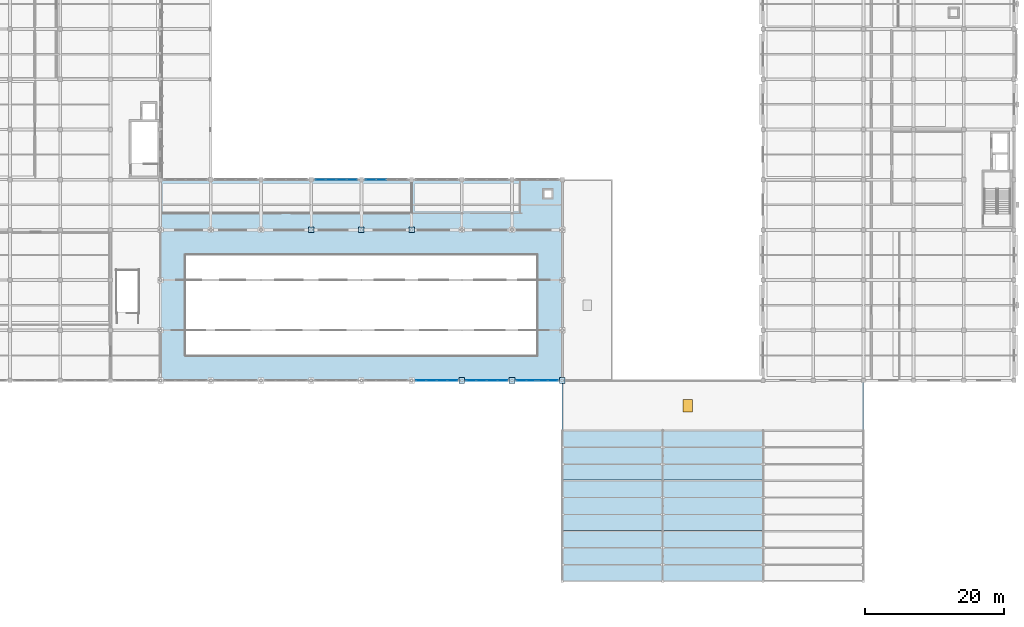
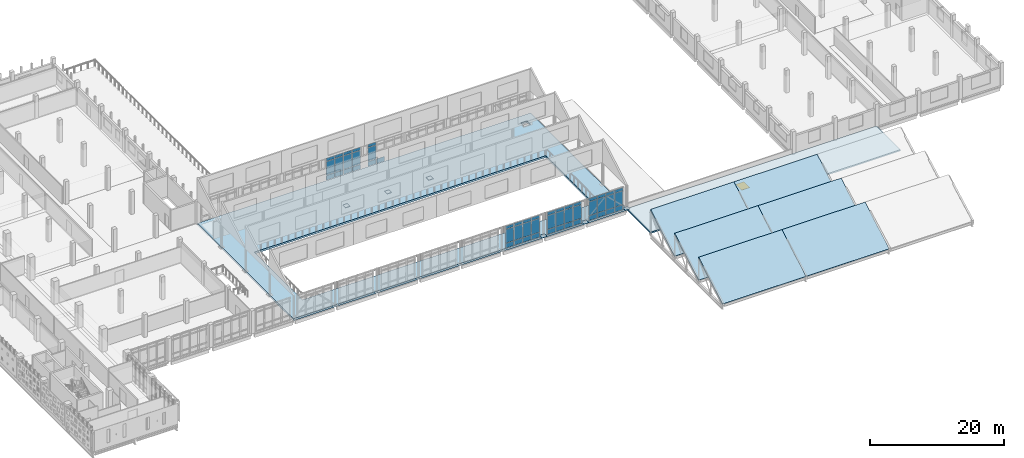
# One storey, part 32 of 62: 58 plates, 8 slabs, 1 window, 1 opening, 5 elements without a shape of their own.
"""IFC4 building model written with IfcOpenShell, lengths in metres."""

from ifc_helpers import new_model, si_unit, direction, frame, origin, origin_2d, place, context, subcontext, project, spatial, polyline, rectangle, outline, extrude, material, layer, layer_set, type_object, element, fill, aggregate, save


model = new_model("IFC4")

# Units and contexts
model_context = context("Model", 3, precision=1e-05, world=origin(), true_north=direction((0.0, 1.0)))
body_context = subcontext(model_context, "Body", "Model", "MODEL_VIEW")
ifc_project = project(units=[si_unit("LENGTHUNIT", "METRE"), si_unit("AREAUNIT", "SQUARE_METRE"), si_unit("VOLUMEUNIT", "CUBIC_METRE"), si_unit("PLANEANGLEUNIT", "RADIAN"), si_unit("MASSUNIT", "GRAM", prefix="KILO")], contexts=[model_context])

# Site, building, storey
site_placement = place(None, origin())
site = spatial("IfcSite", under=ifc_project, at=site_placement, CompositionType="ELEMENT")
building_placement = place(site_placement, origin())
building = spatial("IfcBuilding", under=site, at=building_placement, Name="Valkovuoma Quantum and Materials Research Institute", CompositionType="ELEMENT")
storey_placement = place(building_placement, frame((0.0, 0.0, 13.1201171875)))
storey = spatial("IfcBuildingStorey", under=building, at=storey_placement, Name="L03", CompositionType="ELEMENT", Elevation=13.1201171875)

# Curtain wall, plates
ifc_material_1 = material(Name="Thermally broken aluminium and triple low-E glazing", Category="aluminium")
ifc_layer_1 = layer(ifc_material_1, 0.219970703125)
ifc_layer_set_1 = layer_set([ifc_layer_1], Name="Thermally broken aluminium and triple low-E glazing")
curtain_wall_type = type_object("IfcCurtainWallType", Name="CW-CW-02", PredefinedType="NOTDEFINED", material=ifc_layer_set_1)
curtain_wall_1_placement = place(storey_placement, origin())
curtain_wall_1 = element("IfcCurtainWall", 1, at=curtain_wall_1_placement, inside=storey, type_object=curtain_wall_type, Name="L03 curtain wall 214", PredefinedType="NOTDEFINED")
ifc_material_2 = material(Name="Triple low-E argon insulating glass", Category="glass")
ifc_layer_2 = layer(ifc_material_2, 0.0419921875)
ifc_layer_set_2 = layer_set([ifc_layer_2], Name="Triple low-E argon insulating glass")
plate_type_1 = type_object("IfcPlateType", Name="CWPanel-CWP-02", PredefinedType="CURTAIN_PANEL", material=ifc_layer_set_2)
plate_1_placement = place(storey_placement, frame((66.155029296875, 64.800048828125, 0.074951171875), z_axis=(0.0, 0.0, 1.0), x_axis=(1.0, 0.0, 0.0)))
plate_1 = element("IfcPlate", 2, at=plate_1_placement, type_object=plate_type_1, Name="CW-02 panel 1.1", PredefinedType="CURTAIN_PANEL", context=body_context, shape_type="SweptSolid", body=[
    extrude(rectangle(XDim=1.389892578125, YDim=0.0419921875, at=origin_2d()), origin(), (0.0, 0.0, 1.0), 0.83740234375),
])
plate_2_placement = place(storey_placement, frame((66.155029296875, 64.800048828125, 0.9873046875), z_axis=(0.0, 0.0, 1.0), x_axis=(1.0, 0.0, 0.0)))
plate_2 = element("IfcPlate", 3, at=plate_2_placement, type_object=plate_type_1, Name="CW-02 panel 1.2", PredefinedType="CURTAIN_PANEL", context=body_context, shape_type="SweptSolid", body=[
    extrude(rectangle(XDim=1.389892578125, YDim=0.0419921875, at=origin_2d()), origin(), (0.0, 0.0, 1.0), 2.485107421875),
])
plate_3_placement = place(storey_placement, frame((66.155029296875, 64.800048828125, 3.54736328125), z_axis=(0.0, 0.0, 1.0), x_axis=(1.0, 0.0, 0.0)))
plate_3 = element("IfcPlate", 4, at=plate_3_placement, type_object=plate_type_1, Name="CW-02 panel 1.3", PredefinedType="CURTAIN_PANEL", context=body_context, shape_type="SweptSolid", body=[
    extrude(rectangle(XDim=1.389892578125, YDim=0.0419921875, at=origin_2d()), origin(), (0.0, 0.0, 1.0), 0.53759765625),
])
plate_4_placement = place(storey_placement, frame((67.64501953125, 64.800048828125, 0.074951171875), z_axis=(0.0, 0.0, 1.0), x_axis=(1.0, 0.0, 0.0)))
plate_4 = element("IfcPlate", 5, at=plate_4_placement, type_object=plate_type_1, Name="CW-02 panel 2.1", PredefinedType="CURTAIN_PANEL", context=body_context, shape_type="SweptSolid", body=[
    extrude(rectangle(XDim=1.429931640625, YDim=0.0419921875, at=origin_2d()), origin(), (0.0, 0.0, 1.0), 0.83740234375),
])
plate_5_placement = place(storey_placement, frame((67.64501953125, 64.800048828125, 0.9873046875), z_axis=(0.0, 0.0, 1.0), x_axis=(1.0, 0.0, 0.0)))
plate_5 = element("IfcPlate", 6, at=plate_5_placement, type_object=plate_type_1, Name="CW-02 panel 2.2", PredefinedType="CURTAIN_PANEL", context=body_context, shape_type="SweptSolid", body=[
    extrude(rectangle(XDim=1.429931640625, YDim=0.0419921875, at=origin_2d()), origin(), (0.0, 0.0, 1.0), 2.485107421875),
])
plate_6_placement = place(storey_placement, frame((67.64501953125, 64.800048828125, 3.54736328125), z_axis=(0.0, 0.0, 1.0), x_axis=(1.0, 0.0, 0.0)))
plate_6 = element("IfcPlate", 7, at=plate_6_placement, type_object=plate_type_1, Name="CW-02 panel 2.3", PredefinedType="CURTAIN_PANEL", context=body_context, shape_type="SweptSolid", body=[
    extrude(rectangle(XDim=1.429931640625, YDim=0.0419921875, at=origin_2d()), origin(), (0.0, 0.0, 1.0), 0.53759765625),
])
plate_7_placement = place(storey_placement, frame((69.155029296875, 64.800048828125, 0.074951171875), z_axis=(0.0, 0.0, 1.0), x_axis=(1.0, 0.0, 0.0)))
plate_7 = element("IfcPlate", 8, at=plate_7_placement, type_object=plate_type_1, Name="CW-02 panel 3.1", PredefinedType="CURTAIN_PANEL", context=body_context, shape_type="SweptSolid", body=[
    extrude(rectangle(XDim=1.429931640625, YDim=0.0419921875, at=origin_2d()), origin(), (0.0, 0.0, 1.0), 0.83740234375),
])
plate_8_placement = place(storey_placement, frame((69.155029296875, 64.800048828125, 0.9873046875), z_axis=(0.0, 0.0, 1.0), x_axis=(1.0, 0.0, 0.0)))
plate_8 = element("IfcPlate", 9, at=plate_8_placement, type_object=plate_type_1, Name="CW-02 panel 3.2", PredefinedType="CURTAIN_PANEL", context=body_context, shape_type="SweptSolid", body=[
    extrude(rectangle(XDim=1.429931640625, YDim=0.0419921875, at=origin_2d()), origin(), (0.0, 0.0, 1.0), 2.485107421875),
])
plate_9_placement = place(storey_placement, frame((69.155029296875, 64.800048828125, 3.54736328125), z_axis=(0.0, 0.0, 1.0), x_axis=(1.0, 0.0, 0.0)))
plate_9 = element("IfcPlate", 10, at=plate_9_placement, type_object=plate_type_1, Name="CW-02 panel 3.3", PredefinedType="CURTAIN_PANEL", context=body_context, shape_type="SweptSolid", body=[
    extrude(rectangle(XDim=1.429931640625, YDim=0.0419921875, at=origin_2d()), origin(), (0.0, 0.0, 1.0), 0.53759765625),
])
plate_10_placement = place(storey_placement, frame((70.64501953125, 64.800048828125, 0.074951171875), z_axis=(0.0, 0.0, 1.0), x_axis=(1.0, 0.0, 0.0)))
plate_10 = element("IfcPlate", 11, at=plate_10_placement, type_object=plate_type_1, Name="CW-02 panel 4.1", PredefinedType="CURTAIN_PANEL", context=body_context, shape_type="SweptSolid", body=[
    extrude(rectangle(XDim=1.389892578125, YDim=0.0419921875, at=origin_2d()), origin(), (0.0, 0.0, 1.0), 0.83740234375),
])
plate_11_placement = place(storey_placement, frame((70.64501953125, 64.800048828125, 0.9873046875), z_axis=(0.0, 0.0, 1.0), x_axis=(1.0, 0.0, 0.0)))
plate_11 = element("IfcPlate", 12, at=plate_11_placement, type_object=plate_type_1, Name="CW-02 panel 4.2", PredefinedType="CURTAIN_PANEL", context=body_context, shape_type="SweptSolid", body=[
    extrude(rectangle(XDim=1.389892578125, YDim=0.0419921875, at=origin_2d()), origin(), (0.0, 0.0, 1.0), 2.485107421875),
])
plate_12_placement = place(storey_placement, frame((70.64501953125, 64.800048828125, 3.54736328125), z_axis=(0.0, 0.0, 1.0), x_axis=(1.0, 0.0, 0.0)))
plate_12 = element("IfcPlate", 13, at=plate_12_placement, type_object=plate_type_1, Name="CW-02 panel 4.3", PredefinedType="CURTAIN_PANEL", context=body_context, shape_type="SweptSolid", body=[
    extrude(rectangle(XDim=1.389892578125, YDim=0.0419921875, at=origin_2d()), origin(), (0.0, 0.0, 1.0), 0.53759765625),
])
aggregate(curtain_wall_1, [plate_1, plate_2, plate_3, plate_4, plate_5, plate_6, plate_7, plate_8, plate_9, plate_10, plate_11, plate_12])

curtain_wall_2_placement = place(storey_placement, origin())
curtain_wall_2 = element("IfcCurtainWall", 14, at=curtain_wall_2_placement, inside=storey, type_object=curtain_wall_type, Name="L03 curtain wall 215", PredefinedType="NOTDEFINED")
plate_13_placement = place(storey_placement, frame((73.35498046875, 64.800048828125, 0.074951171875), z_axis=(0.0, 0.0, 1.0), x_axis=(1.0, 0.0, 0.0)))
plate_13 = element("IfcPlate", 15, at=plate_13_placement, type_object=plate_type_1, Name="CW-02 panel 1.1", PredefinedType="CURTAIN_PANEL", context=body_context, shape_type="SweptSolid", body=[
    extrude(rectangle(XDim=1.389892578125, YDim=0.0419921875, at=origin_2d()), origin(), (0.0, 0.0, 1.0), 0.83740234375),
])
plate_14_placement = place(storey_placement, frame((73.35498046875, 64.800048828125, 0.9873046875), z_axis=(0.0, 0.0, 1.0), x_axis=(1.0, 0.0, 0.0)))
plate_14 = element("IfcPlate", 16, at=plate_14_placement, type_object=plate_type_1, Name="CW-02 panel 1.2", PredefinedType="CURTAIN_PANEL", context=body_context, shape_type="SweptSolid", body=[
    extrude(rectangle(XDim=1.389892578125, YDim=0.0419921875, at=origin_2d()), origin(), (0.0, 0.0, 1.0), 2.485107421875),
])
plate_15_placement = place(storey_placement, frame((73.35498046875, 64.800048828125, 3.54736328125), z_axis=(0.0, 0.0, 1.0), x_axis=(1.0, 0.0, 0.0)))
plate_15 = element("IfcPlate", 17, at=plate_15_placement, type_object=plate_type_1, Name="CW-02 panel 1.3", PredefinedType="CURTAIN_PANEL", context=body_context, shape_type="SweptSolid", body=[
    extrude(rectangle(XDim=1.389892578125, YDim=0.0419921875, at=origin_2d()), origin(), (0.0, 0.0, 1.0), 0.53759765625),
])
plate_16_placement = place(storey_placement, frame((74.844970703125, 64.800048828125, 0.074951171875), z_axis=(0.0, 0.0, 1.0), x_axis=(1.0, 0.0, 0.0)))
plate_16 = element("IfcPlate", 18, at=plate_16_placement, type_object=plate_type_1, Name="CW-02 panel 2.1", PredefinedType="CURTAIN_PANEL", context=body_context, shape_type="SweptSolid", body=[
    extrude(rectangle(XDim=1.429931640625, YDim=0.0419921875, at=origin_2d()), origin(), (0.0, 0.0, 1.0), 0.83740234375),
])
aggregate(curtain_wall_2, [plate_13, plate_14, plate_15, plate_16])

curtain_wall_3_placement = place(storey_placement, origin())
curtain_wall_3 = element("IfcCurtainWall", 19, at=curtain_wall_3_placement, inside=storey, type_object=curtain_wall_type, Name="L03 curtain wall 208", PredefinedType="NOTDEFINED")
ifc_material_3 = material(Name="Triple low-E argon insulating glass", Category="glass")
ifc_layer_3 = layer(ifc_material_3, 0.048095703125)
ifc_layer_set_3 = layer_set([ifc_layer_3], Name="Triple low-E argon insulating glass")
plate_type_2 = type_object("IfcPlateType", Name="CWPanel-CWP-03", PredefinedType="CURTAIN_PANEL", material=ifc_layer_set_3)
plate_17_placement = place(storey_placement, frame((80.554931640625, 36.0, 0.074951171875), z_axis=(0.0, 0.0, 1.0), x_axis=(1.0, 0.0, 0.0)))
plate_17 = element("IfcPlate", 20, at=plate_17_placement, type_object=plate_type_2, Name="CW-02 panel 1.1", PredefinedType="CURTAIN_PANEL", context=body_context, shape_type="SweptSolid", body=[
    extrude(rectangle(XDim=1.389892578125, YDim=0.048095703125, at=origin_2d()), origin(), (0.0, 0.0, 1.0), 0.83740234375),
])
plate_18_placement = place(storey_placement, frame((80.554931640625, 36.0, 0.9873046875), z_axis=(0.0, 0.0, 1.0), x_axis=(1.0, 0.0, 0.0)))
plate_18 = element("IfcPlate", 21, at=plate_18_placement, type_object=plate_type_2, Name="CW-02 panel 1.2", PredefinedType="CURTAIN_PANEL", context=body_context, shape_type="SweptSolid", body=[
    extrude(rectangle(XDim=1.389892578125, YDim=0.048095703125, at=origin_2d()), origin(), (0.0, 0.0, 1.0), 2.485107421875),
])
plate_19_placement = place(storey_placement, frame((80.554931640625, 36.0, 3.54736328125), z_axis=(0.0, 0.0, 1.0), x_axis=(1.0, 0.0, 0.0)))
plate_19 = element("IfcPlate", 22, at=plate_19_placement, type_object=plate_type_2, Name="CW-02 panel 1.3", PredefinedType="CURTAIN_PANEL", context=body_context, shape_type="SweptSolid", body=[
    extrude(rectangle(XDim=1.389892578125, YDim=0.048095703125, at=origin_2d()), origin(), (0.0, 0.0, 1.0), 0.53759765625),
])
plate_20_placement = place(storey_placement, frame((82.044921875, 36.0, 0.074951171875), z_axis=(0.0, 0.0, 1.0), x_axis=(1.0, 0.0, 0.0)))
plate_20 = element("IfcPlate", 23, at=plate_20_placement, type_object=plate_type_2, Name="CW-02 panel 2.1", PredefinedType="CURTAIN_PANEL", context=body_context, shape_type="SweptSolid", body=[
    extrude(rectangle(XDim=1.429931640625, YDim=0.048095703125, at=origin_2d()), origin(), (0.0, 0.0, 1.0), 0.83740234375),
])
plate_21_placement = place(storey_placement, frame((82.044921875, 36.0, 0.9873046875), z_axis=(0.0, 0.0, 1.0), x_axis=(1.0, 0.0, 0.0)))
plate_21 = element("IfcPlate", 24, at=plate_21_placement, type_object=plate_type_2, Name="CW-02 panel 2.2", PredefinedType="CURTAIN_PANEL", context=body_context, shape_type="SweptSolid", body=[
    extrude(rectangle(XDim=1.429931640625, YDim=0.048095703125, at=origin_2d()), origin(), (0.0, 0.0, 1.0), 2.485107421875),
])
plate_22_placement = place(storey_placement, frame((82.044921875, 36.0, 3.54736328125), z_axis=(0.0, 0.0, 1.0), x_axis=(1.0, 0.0, 0.0)))
plate_22 = element("IfcPlate", 25, at=plate_22_placement, type_object=plate_type_2, Name="CW-02 panel 2.3", PredefinedType="CURTAIN_PANEL", context=body_context, shape_type="SweptSolid", body=[
    extrude(rectangle(XDim=1.429931640625, YDim=0.048095703125, at=origin_2d()), origin(), (0.0, 0.0, 1.0), 0.53759765625),
])
plate_23_placement = place(storey_placement, frame((83.554931640625, 36.0, 0.074951171875), z_axis=(0.0, 0.0, 1.0), x_axis=(1.0, 0.0, 0.0)))
plate_23 = element("IfcPlate", 26, at=plate_23_placement, type_object=plate_type_2, Name="CW-02 panel 3.1", PredefinedType="CURTAIN_PANEL", context=body_context, shape_type="SweptSolid", body=[
    extrude(rectangle(XDim=1.429931640625, YDim=0.048095703125, at=origin_2d()), origin(), (0.0, 0.0, 1.0), 0.83740234375),
])
plate_24_placement = place(storey_placement, frame((83.554931640625, 36.0, 0.9873046875), z_axis=(0.0, 0.0, 1.0), x_axis=(1.0, 0.0, 0.0)))
plate_24 = element("IfcPlate", 27, at=plate_24_placement, type_object=plate_type_2, Name="CW-02 panel 3.2", PredefinedType="CURTAIN_PANEL", context=body_context, shape_type="SweptSolid", body=[
    extrude(rectangle(XDim=1.429931640625, YDim=0.048095703125, at=origin_2d()), origin(), (0.0, 0.0, 1.0), 2.485107421875),
])
plate_25_placement = place(storey_placement, frame((83.554931640625, 36.0, 3.54736328125), z_axis=(0.0, 0.0, 1.0), x_axis=(1.0, 0.0, 0.0)))
plate_25 = element("IfcPlate", 28, at=plate_25_placement, type_object=plate_type_2, Name="CW-02 panel 3.3", PredefinedType="CURTAIN_PANEL", context=body_context, shape_type="SweptSolid", body=[
    extrude(rectangle(XDim=1.429931640625, YDim=0.048095703125, at=origin_2d()), origin(), (0.0, 0.0, 1.0), 0.53759765625),
])
plate_26_placement = place(storey_placement, frame((85.044921875, 36.0, 0.074951171875), z_axis=(0.0, 0.0, 1.0), x_axis=(1.0, 0.0, 0.0)))
plate_26 = element("IfcPlate", 29, at=plate_26_placement, type_object=plate_type_2, Name="CW-02 panel 4.1", PredefinedType="CURTAIN_PANEL", context=body_context, shape_type="SweptSolid", body=[
    extrude(rectangle(XDim=1.389892578125, YDim=0.048095703125, at=origin_2d()), origin(), (0.0, 0.0, 1.0), 0.83740234375),
])
plate_27_placement = place(storey_placement, frame((85.044921875, 36.0, 0.9873046875), z_axis=(0.0, 0.0, 1.0), x_axis=(1.0, 0.0, 0.0)))
plate_27 = element("IfcPlate", 30, at=plate_27_placement, type_object=plate_type_2, Name="CW-02 panel 4.2", PredefinedType="CURTAIN_PANEL", context=body_context, shape_type="SweptSolid", body=[
    extrude(rectangle(XDim=1.389892578125, YDim=0.048095703125, at=origin_2d()), origin(), (0.0, 0.0, 1.0), 2.485107421875),
])
plate_28_placement = place(storey_placement, frame((85.044921875, 36.0, 3.54736328125), z_axis=(0.0, 0.0, 1.0), x_axis=(1.0, 0.0, 0.0)))
plate_28 = element("IfcPlate", 31, at=plate_28_placement, type_object=plate_type_2, Name="CW-02 panel 4.3", PredefinedType="CURTAIN_PANEL", context=body_context, shape_type="SweptSolid", body=[
    extrude(rectangle(XDim=1.389892578125, YDim=0.048095703125, at=origin_2d()), origin(), (0.0, 0.0, 1.0), 0.53759765625),
])
aggregate(curtain_wall_3, [plate_17, plate_18, plate_19, plate_20, plate_21, plate_22, plate_23, plate_24, plate_25, plate_26, plate_27, plate_28])

curtain_wall_4_placement = place(storey_placement, origin())
curtain_wall_4 = element("IfcCurtainWall", 32, at=curtain_wall_4_placement, inside=storey, type_object=curtain_wall_type, Name="L03 curtain wall 209", PredefinedType="NOTDEFINED")
plate_29_placement = place(storey_placement, frame((87.7548828125, 36.0, 0.074951171875), z_axis=(0.0, 0.0, 1.0), x_axis=(1.0, 0.0, 0.0)))
plate_29 = element("IfcPlate", 33, at=plate_29_placement, type_object=plate_type_2, Name="CW-02 panel 1.1", PredefinedType="CURTAIN_PANEL", context=body_context, shape_type="SweptSolid", body=[
    extrude(rectangle(XDim=1.389892578125, YDim=0.048095703125, at=origin_2d()), origin(), (0.0, 0.0, 1.0), 0.83740234375),
])
plate_30_placement = place(storey_placement, frame((87.7548828125, 36.0, 0.9873046875), z_axis=(0.0, 0.0, 1.0), x_axis=(1.0, 0.0, 0.0)))
plate_30 = element("IfcPlate", 34, at=plate_30_placement, type_object=plate_type_2, Name="CW-02 panel 1.2", PredefinedType="CURTAIN_PANEL", context=body_context, shape_type="SweptSolid", body=[
    extrude(rectangle(XDim=1.389892578125, YDim=0.048095703125, at=origin_2d()), origin(), (0.0, 0.0, 1.0), 2.485107421875),
])
plate_31_placement = place(storey_placement, frame((87.7548828125, 36.0, 3.54736328125), z_axis=(0.0, 0.0, 1.0), x_axis=(1.0, 0.0, 0.0)))
plate_31 = element("IfcPlate", 35, at=plate_31_placement, type_object=plate_type_2, Name="CW-02 panel 1.3", PredefinedType="CURTAIN_PANEL", context=body_context, shape_type="SweptSolid", body=[
    extrude(rectangle(XDim=1.389892578125, YDim=0.048095703125, at=origin_2d()), origin(), (0.0, 0.0, 1.0), 0.53759765625),
])
plate_32_placement = place(storey_placement, frame((89.2451171875, 36.0, 0.074951171875), z_axis=(0.0, 0.0, 1.0), x_axis=(1.0, 0.0, 0.0)))
plate_32 = element("IfcPlate", 36, at=plate_32_placement, type_object=plate_type_2, Name="CW-02 panel 2.1", PredefinedType="CURTAIN_PANEL", context=body_context, shape_type="SweptSolid", body=[
    extrude(rectangle(XDim=1.429931640625, YDim=0.048095703125, at=origin_2d()), origin(), (0.0, 0.0, 1.0), 0.83740234375),
])
plate_33_placement = place(storey_placement, frame((89.2451171875, 36.0, 0.9873046875), z_axis=(0.0, 0.0, 1.0), x_axis=(1.0, 0.0, 0.0)))
plate_33 = element("IfcPlate", 37, at=plate_33_placement, type_object=plate_type_2, Name="CW-02 panel 2.2", PredefinedType="CURTAIN_PANEL", context=body_context, shape_type="SweptSolid", body=[
    extrude(rectangle(XDim=1.429931640625, YDim=0.048095703125, at=origin_2d()), origin(), (0.0, 0.0, 1.0), 2.485107421875),
])
plate_34_placement = place(storey_placement, frame((89.2451171875, 36.0, 3.54736328125), z_axis=(0.0, 0.0, 1.0), x_axis=(1.0, 0.0, 0.0)))
plate_34 = element("IfcPlate", 38, at=plate_34_placement, type_object=plate_type_2, Name="CW-02 panel 2.3", PredefinedType="CURTAIN_PANEL", context=body_context, shape_type="SweptSolid", body=[
    extrude(rectangle(XDim=1.429931640625, YDim=0.048095703125, at=origin_2d()), origin(), (0.0, 0.0, 1.0), 0.53759765625),
])
plate_35_placement = place(storey_placement, frame((90.7548828125, 36.0, 0.074951171875), z_axis=(0.0, 0.0, 1.0), x_axis=(1.0, 0.0, 0.0)))
plate_35 = element("IfcPlate", 39, at=plate_35_placement, type_object=plate_type_2, Name="CW-02 panel 3.1", PredefinedType="CURTAIN_PANEL", context=body_context, shape_type="SweptSolid", body=[
    extrude(rectangle(XDim=1.429931640625, YDim=0.048095703125, at=origin_2d()), origin(), (0.0, 0.0, 1.0), 0.83740234375),
])
plate_36_placement = place(storey_placement, frame((90.7548828125, 36.0, 0.9873046875), z_axis=(0.0, 0.0, 1.0), x_axis=(1.0, 0.0, 0.0)))
plate_36 = element("IfcPlate", 40, at=plate_36_placement, type_object=plate_type_2, Name="CW-02 panel 3.2", PredefinedType="CURTAIN_PANEL", context=body_context, shape_type="SweptSolid", body=[
    extrude(rectangle(XDim=1.429931640625, YDim=0.048095703125, at=origin_2d()), origin(), (0.0, 0.0, 1.0), 2.485107421875),
])
plate_37_placement = place(storey_placement, frame((90.7548828125, 36.0, 3.54736328125), z_axis=(0.0, 0.0, 1.0), x_axis=(1.0, 0.0, 0.0)))
plate_37 = element("IfcPlate", 41, at=plate_37_placement, type_object=plate_type_2, Name="CW-02 panel 3.3", PredefinedType="CURTAIN_PANEL", context=body_context, shape_type="SweptSolid", body=[
    extrude(rectangle(XDim=1.429931640625, YDim=0.048095703125, at=origin_2d()), origin(), (0.0, 0.0, 1.0), 0.53759765625),
])
plate_38_placement = place(storey_placement, frame((92.2451171875, 36.0, 0.074951171875), z_axis=(0.0, 0.0, 1.0), x_axis=(1.0, 0.0, 0.0)))
plate_38 = element("IfcPlate", 42, at=plate_38_placement, type_object=plate_type_2, Name="CW-02 panel 4.1", PredefinedType="CURTAIN_PANEL", context=body_context, shape_type="SweptSolid", body=[
    extrude(rectangle(XDim=1.389892578125, YDim=0.048095703125, at=origin_2d()), origin(), (0.0, 0.0, 1.0), 0.83740234375),
])
plate_39_placement = place(storey_placement, frame((92.2451171875, 36.0, 0.9873046875), z_axis=(0.0, 0.0, 1.0), x_axis=(1.0, 0.0, 0.0)))
plate_39 = element("IfcPlate", 43, at=plate_39_placement, type_object=plate_type_2, Name="CW-02 panel 4.2", PredefinedType="CURTAIN_PANEL", context=body_context, shape_type="SweptSolid", body=[
    extrude(rectangle(XDim=1.389892578125, YDim=0.048095703125, at=origin_2d()), origin(), (0.0, 0.0, 1.0), 2.485107421875),
])
plate_40_placement = place(storey_placement, frame((92.2451171875, 36.0, 3.54736328125), z_axis=(0.0, 0.0, 1.0), x_axis=(1.0, 0.0, 0.0)))
plate_40 = element("IfcPlate", 44, at=plate_40_placement, type_object=plate_type_2, Name="CW-02 panel 4.3", PredefinedType="CURTAIN_PANEL", context=body_context, shape_type="SweptSolid", body=[
    extrude(rectangle(XDim=1.389892578125, YDim=0.048095703125, at=origin_2d()), origin(), (0.0, 0.0, 1.0), 0.53759765625),
])
aggregate(curtain_wall_4, [plate_29, plate_30, plate_31, plate_32, plate_33, plate_34, plate_35, plate_36, plate_37, plate_38, plate_39, plate_40])

curtain_wall_5_placement = place(storey_placement, origin())
curtain_wall_5 = element("IfcCurtainWall", 45, at=curtain_wall_5_placement, inside=storey, type_object=curtain_wall_type, Name="L03 curtain wall 210", PredefinedType="NOTDEFINED")
plate_41_placement = place(storey_placement, frame((94.955078125, 36.0, 0.074951171875), z_axis=(0.0, 0.0, 1.0), x_axis=(1.0, 0.0, 0.0)))
plate_41 = element("IfcPlate", 46, at=plate_41_placement, type_object=plate_type_2, Name="CW-02 panel 1.1", PredefinedType="CURTAIN_PANEL", context=body_context, shape_type="SweptSolid", body=[
    extrude(rectangle(XDim=1.389892578125, YDim=0.048095703125, at=origin_2d()), origin(), (0.0, 0.0, 1.0), 0.83740234375),
])
plate_42_placement = place(storey_placement, frame((94.955078125, 36.0, 0.9873046875), z_axis=(0.0, 0.0, 1.0), x_axis=(1.0, 0.0, 0.0)))
plate_42 = element("IfcPlate", 47, at=plate_42_placement, type_object=plate_type_2, Name="CW-02 panel 1.2", PredefinedType="CURTAIN_PANEL", context=body_context, shape_type="SweptSolid", body=[
    extrude(rectangle(XDim=1.389892578125, YDim=0.048095703125, at=origin_2d()), origin(), (0.0, 0.0, 1.0), 2.485107421875),
])
plate_43_placement = place(storey_placement, frame((94.955078125, 36.0, 3.54736328125), z_axis=(0.0, 0.0, 1.0), x_axis=(1.0, 0.0, 0.0)))
plate_43 = element("IfcPlate", 48, at=plate_43_placement, type_object=plate_type_2, Name="CW-02 panel 1.3", PredefinedType="CURTAIN_PANEL", context=body_context, shape_type="SweptSolid", body=[
    extrude(rectangle(XDim=1.389892578125, YDim=0.048095703125, at=origin_2d()), origin(), (0.0, 0.0, 1.0), 0.53759765625),
])
plate_44_placement = place(storey_placement, frame((96.445068359375, 36.0, 0.074951171875), z_axis=(0.0, 0.0, 1.0), x_axis=(1.0, 0.0, 0.0)))
plate_44 = element("IfcPlate", 49, at=plate_44_placement, type_object=plate_type_2, Name="CW-02 panel 2.1", PredefinedType="CURTAIN_PANEL", context=body_context, shape_type="SweptSolid", body=[
    extrude(rectangle(XDim=1.429931640625, YDim=0.048095703125, at=origin_2d()), origin(), (0.0, 0.0, 1.0), 0.83740234375),
])
plate_45_placement = place(storey_placement, frame((96.445068359375, 36.0, 0.9873046875), z_axis=(0.0, 0.0, 1.0), x_axis=(1.0, 0.0, 0.0)))
plate_45 = element("IfcPlate", 50, at=plate_45_placement, type_object=plate_type_2, Name="CW-02 panel 2.2", PredefinedType="CURTAIN_PANEL", context=body_context, shape_type="SweptSolid", body=[
    extrude(rectangle(XDim=1.429931640625, YDim=0.048095703125, at=origin_2d()), origin(), (0.0, 0.0, 1.0), 2.485107421875),
])
plate_46_placement = place(storey_placement, frame((96.445068359375, 36.0, 3.54736328125), z_axis=(0.0, 0.0, 1.0), x_axis=(1.0, 0.0, 0.0)))
plate_46 = element("IfcPlate", 51, at=plate_46_placement, type_object=plate_type_2, Name="CW-02 panel 2.3", PredefinedType="CURTAIN_PANEL", context=body_context, shape_type="SweptSolid", body=[
    extrude(rectangle(XDim=1.429931640625, YDim=0.048095703125, at=origin_2d()), origin(), (0.0, 0.0, 1.0), 0.53759765625),
])
plate_47_placement = place(storey_placement, frame((97.955078125, 36.0, 0.074951171875), z_axis=(0.0, 0.0, 1.0), x_axis=(1.0, 0.0, 0.0)))
plate_47 = element("IfcPlate", 52, at=plate_47_placement, type_object=plate_type_2, Name="CW-02 panel 3.1", PredefinedType="CURTAIN_PANEL", context=body_context, shape_type="SweptSolid", body=[
    extrude(rectangle(XDim=1.429931640625, YDim=0.048095703125, at=origin_2d()), origin(), (0.0, 0.0, 1.0), 0.83740234375),
])
plate_48_placement = place(storey_placement, frame((97.955078125, 36.0, 0.9873046875), z_axis=(0.0, 0.0, 1.0), x_axis=(1.0, 0.0, 0.0)))
plate_48 = element("IfcPlate", 53, at=plate_48_placement, type_object=plate_type_2, Name="CW-02 panel 3.2", PredefinedType="CURTAIN_PANEL", context=body_context, shape_type="SweptSolid", body=[
    extrude(rectangle(XDim=1.429931640625, YDim=0.048095703125, at=origin_2d()), origin(), (0.0, 0.0, 1.0), 2.485107421875),
])
plate_49_placement = place(storey_placement, frame((97.955078125, 36.0, 3.54736328125), z_axis=(0.0, 0.0, 1.0), x_axis=(1.0, 0.0, 0.0)))
plate_49 = element("IfcPlate", 54, at=plate_49_placement, type_object=plate_type_2, Name="CW-02 panel 3.3", PredefinedType="CURTAIN_PANEL", context=body_context, shape_type="SweptSolid", body=[
    extrude(rectangle(XDim=1.429931640625, YDim=0.048095703125, at=origin_2d()), origin(), (0.0, 0.0, 1.0), 0.53759765625),
])
plate_50_placement = place(storey_placement, frame((99.445068359375, 36.0, 0.074951171875), z_axis=(0.0, 0.0, 1.0), x_axis=(1.0, 0.0, 0.0)))
plate_50 = element("IfcPlate", 55, at=plate_50_placement, type_object=plate_type_2, Name="CW-02 panel 4.1", PredefinedType="CURTAIN_PANEL", context=body_context, shape_type="SweptSolid", body=[
    extrude(rectangle(XDim=1.389892578125, YDim=0.048095703125, at=origin_2d()), origin(), (0.0, 0.0, 1.0), 0.83740234375),
])
plate_51_placement = place(storey_placement, frame((99.445068359375, 36.0, 0.9873046875), z_axis=(0.0, 0.0, 1.0), x_axis=(1.0, 0.0, 0.0)))
plate_51 = element("IfcPlate", 56, at=plate_51_placement, type_object=plate_type_2, Name="CW-02 panel 4.2", PredefinedType="CURTAIN_PANEL", context=body_context, shape_type="SweptSolid", body=[
    extrude(rectangle(XDim=1.389892578125, YDim=0.048095703125, at=origin_2d()), origin(), (0.0, 0.0, 1.0), 2.485107421875),
])
plate_52_placement = place(storey_placement, frame((99.445068359375, 36.0, 3.54736328125), z_axis=(0.0, 0.0, 1.0), x_axis=(1.0, 0.0, 0.0)))
plate_52 = element("IfcPlate", 57, at=plate_52_placement, type_object=plate_type_2, Name="CW-02 panel 4.3", PredefinedType="CURTAIN_PANEL", context=body_context, shape_type="SweptSolid", body=[
    extrude(rectangle(XDim=1.389892578125, YDim=0.048095703125, at=origin_2d()), origin(), (0.0, 0.0, 1.0), 0.53759765625),
])
aggregate(curtain_wall_5, [plate_41, plate_42, plate_43, plate_44, plate_45, plate_46, plate_47, plate_48, plate_49, plate_50, plate_51, plate_52])

# Plates
ifc_material_4 = material(Name="Steel S355J2", Category="steel")
plate_type_3 = type_object("IfcPlateType", Name="Plate-PL-BAS2", PredefinedType="USERDEFINED", material=ifc_material_4)
for number, where, z_axis, x_axis, name in (
    (58, (64.800048828125, 57.60009765625, 0.0), (0.0, 0.0, 1.0), (1.0, 0.0, 0.0), "L03 base plate 10J"),
    (59, (72.0, 57.60009765625, 0.0), (0.0, 0.0, 1.0), (1.0, 0.0, 0.0), "L03 base plate 11J"),
    (60, (79.199951171875, 57.60009765625, 0.0), (0.0, 0.0, 1.0), (1.0, 0.0, 0.0), "L03 base plate 12J"),
    (61, (86.39990234375, 36.0, 0.0), (0.0, 0.0, 1.0), (1.0, 0.0, 0.0), "L03 base plate 13F"),
    (62, (93.60009765625, 36.0, 0.0), (0.0, 0.0, 1.0), (1.0, 0.0, 0.0), "L03 base plate 14F"),
    (63, (100.800048828125, 36.0, 0.0), (0.0, 0.0, 1.0), (1.0, 0.0, 0.0), "L03 base plate 15F"),
):
    element("IfcPlate", number, at=place(storey_placement, frame(where, z_axis=z_axis, x_axis=x_axis)), inside=storey, type_object=plate_type_3, Name=name, ObjectType="BASE_PLATE", PredefinedType="USERDEFINED", context=body_context, shape_type="SweptSolid", body=[
        extrude(rectangle(XDim=0.800048828125, YDim=0.800048828125, at=origin_2d()), origin(), (0.0, 0.0, 1.0), 0.030029296875),
    ])

# Slabs
ifc_material_5 = material(Name="Concrete C40/50", Category="concrete")
ifc_layer_4 = layer(ifc_material_5, 0.35009765625)
ifc_layer_set_4 = layer_set([ifc_layer_4], Name="Concrete C40/50")
slab_type_1 = type_object("IfcSlabType", Name="Slab-SL-FL350", PredefinedType="FLOOR", material=ifc_layer_set_4)
slab_1_placement = place(storey_placement, frame((0.0, 0.0, -0.35009765625)))
element("IfcSlab", 64, at=slab_1_placement, inside=storey, type_object=slab_type_1, Name="L03 vol2_atrium structural slab 2", PredefinedType="FLOOR", context=body_context, shape_type="SweptSolid", body=[
    extrude(outline(polyline([(43.199951171875, 36.0), (100.800048828125, 36.0), (100.800048828125, 64.800048828125), (43.199951171875, 64.800048828125), (43.199951171875, 36.0)]), holes=[polyline([(98.199951171875, 62.199951171875), (99.300048828125, 62.199951171875), (99.300048828125, 63.300048828125), (98.199951171875, 63.300048828125), (98.199951171875, 62.199951171875)]), polyline([(46.800048828125, 39.60009765625), (97.199951171875, 39.60009765625), (97.199951171875, 54.0), (46.800048828125, 54.0), (46.800048828125, 39.60009765625)])]), origin(), (0.0, 0.0, 1.0), 0.35009765625),
])
ifc_material_6 = material(Name="Concrete C40/50", Category="concrete")
ifc_layer_5 = layer(ifc_material_6, 0.219970703125)
ifc_layer_set_5 = layer_set([ifc_layer_5], Name="Concrete C40/50")
slab_type_2 = type_object("IfcSlabType", Name="Slab-SL-RF220", PredefinedType="ROOF", material=ifc_layer_set_5)
slab_2_placement = place(storey_placement, frame((100.800048828125, 7.199951171875, 0.0), z_axis=(0.0, -0.503869204407, 0.863779963214), x_axis=(1.0, 0.0, 0.0)))
element("IfcSlab", 65, at=slab_2_placement, inside=storey, type_object=slab_type_2, Name="L03 VOL1 sawtooth sloped roof 1.1", PredefinedType="ROOF", context=body_context, shape_type="SweptSolid", body=[
    extrude(outline(polyline([(0.0, 0.0), (14.39990234375, 0.0), (14.39990234375, 8.335399613906844), (0.0, 8.335399613906844), (0.0, 0.0)])), origin(), (0.0, 0.0, -1.0), 0.219970703125),
])
slab_3_placement = place(storey_placement, frame((115.199951171875, 7.199951171875, 0.0), z_axis=(0.0, -0.503869204407, 0.863779963214), x_axis=(1.0, 0.0, 0.0)))
element("IfcSlab", 66, at=slab_3_placement, inside=storey, type_object=slab_type_2, Name="L03 VOL1 sawtooth sloped roof 1.2", PredefinedType="ROOF", context=body_context, shape_type="SweptSolid", body=[
    extrude(outline(polyline([(0.0, 0.0), (14.400146484375, 0.0), (14.400146484375, 8.335399613906844), (0.0, 8.335399613906844), (0.0, 0.0)])), origin(), (0.0, 0.0, -1.0), 0.219970703125),
])
slab_4_placement = place(storey_placement, frame((100.800048828125, 14.39990234375, 0.0), z_axis=(0.0, -0.503856456895, 0.863787399101), x_axis=(1.0, 0.0, 0.0)))
element("IfcSlab", 67, at=slab_4_placement, inside=storey, type_object=slab_type_2, Name="L03 VOL1 sawtooth sloped roof 2.1", PredefinedType="ROOF", context=body_context, shape_type="SweptSolid", body=[
    extrude(outline(polyline([(0.0, 0.0), (14.39990234375, 0.0), (14.39990234375, 8.335610498594638), (0.0, 8.335610498594638), (0.0, 0.0)])), origin(), (0.0, 0.0, -1.0), 0.219970703125),
])
slab_5_placement = place(storey_placement, frame((115.199951171875, 14.39990234375, 0.0), z_axis=(0.0, -0.503856456895, 0.863787399101), x_axis=(1.0, 0.0, 0.0)))
element("IfcSlab", 68, at=slab_5_placement, inside=storey, type_object=slab_type_2, Name="L03 VOL1 sawtooth sloped roof 2.2", PredefinedType="ROOF", context=body_context, shape_type="SweptSolid", body=[
    extrude(outline(polyline([(0.0, 0.0), (14.400146484375, 0.0), (14.400146484375, 8.335610498594638), (0.0, 8.335610498594638), (0.0, 0.0)])), origin(), (0.0, 0.0, -1.0), 0.219970703125),
])
slab_6_placement = place(storey_placement, frame((100.800048828125, 21.60009765625, 0.0), z_axis=(0.0, -0.503869204407, 0.863779963214), x_axis=(1.0, 0.0, 0.0)))
element("IfcSlab", 69, at=slab_6_placement, inside=storey, type_object=slab_type_2, Name="L03 VOL1 sawtooth sloped roof 3.1", PredefinedType="ROOF", context=body_context, shape_type="SweptSolid", body=[
    extrude(outline(polyline([(0.0, 0.0), (14.39990234375, 0.0), (14.39990234375, 8.335399613906844), (0.0, 8.335399613906844), (0.0, 0.0)])), origin(), (0.0, 0.0, -1.0), 0.219970703125),
])
slab_7_placement = place(storey_placement, frame((115.199951171875, 21.60009765625, 0.0), z_axis=(0.0, -0.503869204407, 0.863779963214), x_axis=(1.0, 0.0, 0.0)))
element("IfcSlab", 70, at=slab_7_placement, inside=storey, type_object=slab_type_2, Name="L03 VOL1 sawtooth sloped roof 3.2", PredefinedType="ROOF", context=body_context, shape_type="SweptSolid", body=[
    extrude(outline(polyline([(0.0, 0.0), (14.400146484375, 0.0), (14.400146484375, 8.335399613906844), (0.0, 8.335399613906844), (0.0, 0.0)])), origin(), (0.0, 0.0, -1.0), 0.219970703125),
])

# Slab, opening, window
ifc_material_7 = material(Name="Concrete C40/50", Category="concrete")
ifc_layer_6 = layer(ifc_material_7, 0.25)
ifc_layer_set_6 = layer_set([ifc_layer_6], Name="Concrete C40/50")
slab_type_3 = type_object("IfcSlabType", Name="Slab-SL-RF250", PredefinedType="ROOF", material=ifc_layer_set_6)
slab_8_placement = place(storey_placement, frame((0.0, 0.0, -0.25)))
slab_8 = element("IfcSlab", 71, at=slab_8_placement, inside=storey, type_object=slab_type_3, Name="L03 roof slab RF_VOL1_LINK", PredefinedType="ROOF", context=body_context, shape_type="SweptSolid", body=[
    extrude(outline(polyline([(100.800048828125, 28.800048828125), (144.0, 28.800048828125), (144.0, 36.0), (100.800048828125, 36.0), (100.800048828125, 28.800048828125)]), holes=[polyline([(118.10009765625, 31.5), (119.5, 31.5), (119.5, 33.300048828125), (118.10009765625, 33.300048828125), (118.10009765625, 31.5)])]), origin(), (0.0, 0.0, 1.0), 0.25),
])
opening_placement = place(slab_8_placement, frame((118.800048828125, 32.39990234375, -0.010009765625)))
opening = element("IfcOpeningElement", 72, at=opening_placement, cuts=slab_8, Name="Opening SKY-HT2", PredefinedType="OPENING", context=body_context, shape_type="SweptSolid", body=[
    extrude(rectangle(XDim=1.39990234375, YDim=1.800048828125, at=origin_2d()), origin(), (0.0, 0.0, 1.0), 0.27001953125),
])
ifc_material_8 = material(Name="Triple low-E laminated safety glass skylight", Category="glass")
window_type = type_object("IfcWindowType", Name="Win-SKY-HT2", PartitioningType="SINGLE_PANEL", PredefinedType="SKYLIGHT", material=ifc_material_8)
window_placement = place(opening_placement, frame((0.0, 0.0, 0.2099609375)))
window = element("IfcWindow", 73, at=window_placement, inside=storey, type_object=window_type, Name="L03 roof smoke-vent skylight SKY-HT2", OverallHeight=1.800048828125, OverallWidth=1.39990234375, PartitioningType="SINGLE_PANEL", PredefinedType="SKYLIGHT", context=body_context, shape_type="SweptSolid", body=[
    extrude(rectangle(XDim=1.39990234375, YDim=1.800048828125, at=origin_2d()), origin(), (0.0, 0.0, 1.0), 0.050048828125),
])
fill(opening, window)

save(model, "model.ifc")
